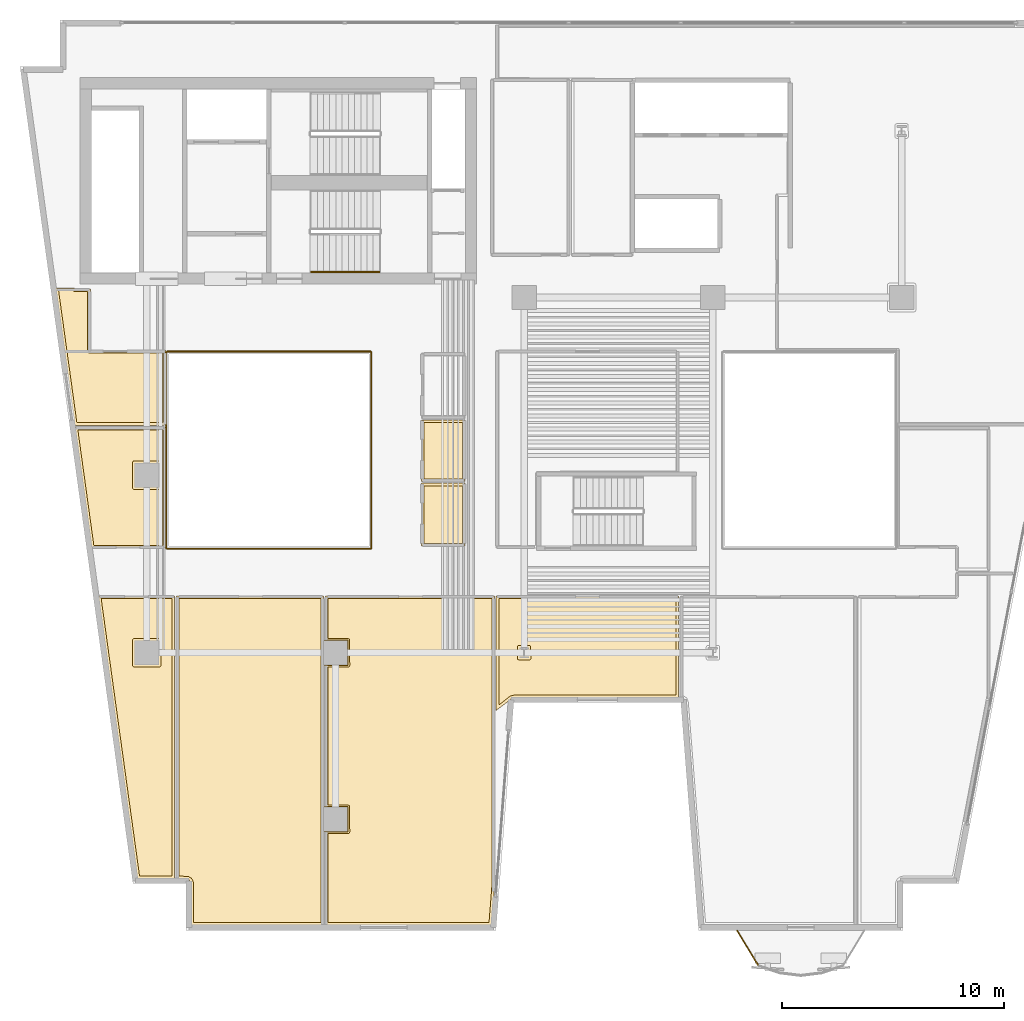
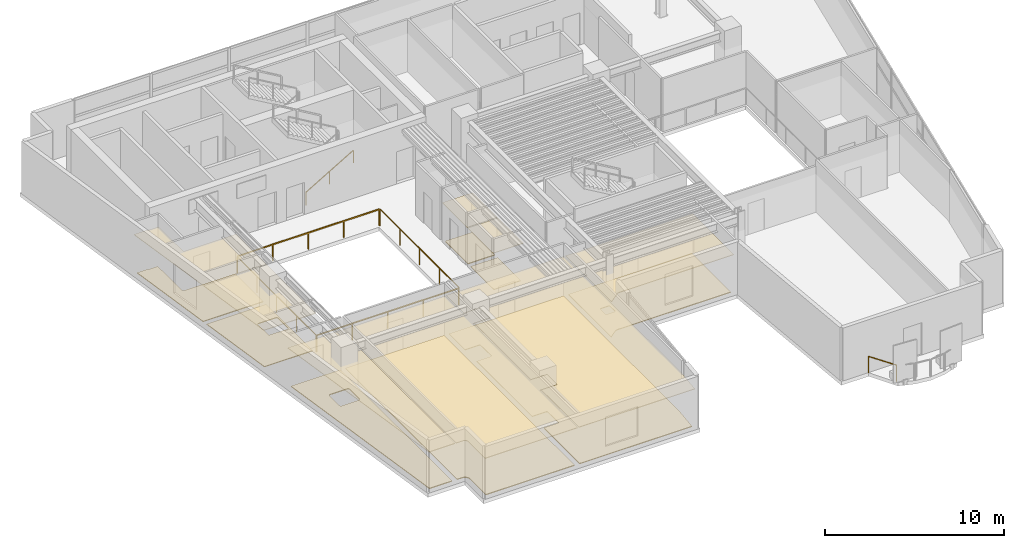
# One storey, part 11 of 14: 16 coverings, 6 railings.
"""IFC4 building model written with IfcOpenShell, lengths in metres."""

import ifcopenshell
import ifcopenshell.guid

model = None  # the IFC model being written
_history = None  # IfcOwnerHistory: only IFC2X3 demands one
_inside = {}  # id of a spatial element -> (the spatial element, [elements in it])
_under = {}  # id of a project, library or spatial element -> (it, [spatial elements below it])
_declared = {}  # id of a project -> (the project, [libraries it declares])
_typed = {}  # id of a type object -> (the type object, [elements of that type])
_made_of = {}  # id of a material, layer set ... -> (it, [elements and type objects made of it])


def new_model(schema):
    """Start an empty IFC model of exactly this schema.

    Asked for "IFC4X3", IfcOpenShell would pick the latest addendum, in which some entities
    have other attributes; the version numbers below select the first issue.
    IFC2X3 requires an IfcOwnerHistory on every rooted entity: one is made here for all.
    """
    global model, _history
    if schema == "IFC4X3":
        model = ifcopenshell.file(schema_version=(4, 3, 0, 0))
    else:
        model = ifcopenshell.file(schema=schema)
    _inside.clear()
    _under.clear()
    _declared.clear()
    _typed.clear()
    _made_of.clear()
    _history = None
    if model.schema == "IFC2X3":
        org = make("IfcOrganization", Name="unknown")
        user = make(
            "IfcPersonAndOrganization",
            ThePerson=make("IfcPerson", FamilyName="unknown"),
            TheOrganization=org,
        )
        app = make(
            "IfcApplication",
            ApplicationDeveloper=org,
            Version="unknown",
            ApplicationFullName="unknown",
            ApplicationIdentifier="unknown",
        )
        _history = make(
            "IfcOwnerHistory",
            OwningUser=user,
            OwningApplication=app,
            ChangeAction="ADDED",
            CreationDate=0,
        )
    return model


def make(cls, **values):
    """One entity of the class cls with the attributes given. An attribute that is None is left unset."""
    return model.create_entity(
        cls, **{name: value for name, value in values.items() if value is not None}
    )


def rooted(cls, **values):
    """An entity with a GlobalId (a new one), such as an element, a storey or a relation."""
    return make(cls, GlobalId=ifcopenshell.guid.new(), OwnerHistory=_history, **values)


def si_unit(unit_type, name, prefix=None):
    """IfcSIUnit, for example si_unit("LENGTHUNIT", "METRE", prefix="MILLI")."""
    return make("IfcSIUnit", UnitType=unit_type, Prefix=prefix, Name=name)


def assignment(units):
    """IfcUnitAssignment: the units of a project."""
    return None if units is None else make("IfcUnitAssignment", Units=units)


def point(xyz):
    """IfcCartesianPoint."""
    return None if xyz is None else make("IfcCartesianPoint", Coordinates=xyz)


def direction(xyz):
    """IfcDirection."""
    return None if xyz is None else make("IfcDirection", DirectionRatios=xyz)


def frame(location, z_axis=None, x_axis=None):
    """IfcAxis2Placement3D, a coordinate frame: its origin and axes. An axis left out is left unset."""
    return make(
        "IfcAxis2Placement3D",
        Location=point(location),
        Axis=direction(z_axis),
        RefDirection=direction(x_axis),
    )


def frame_2d(location, x_axis=None):
    """IfcAxis2Placement2D, a coordinate frame in the plane: its origin and x axis."""
    return make(
        "IfcAxis2Placement2D", Location=point(location), RefDirection=direction(x_axis)
    )


def origin():
    """The frame at (0, 0, 0) with its axes left unset."""
    return frame((0.0, 0.0, 0.0))


def origin_2d():
    """The frame at (0, 0) in the plane with its x axis left unset."""
    return frame_2d((0.0, 0.0))


def place(relative_to, where):
    """IfcLocalPlacement: puts the frame where relative to a parent placement (None: the world)."""
    return make(
        "IfcLocalPlacement", PlacementRelTo=relative_to, RelativePlacement=where
    )


def context(
    kind, dimensions, precision=None, world=None, true_north=None, identifier=None
):
    """IfcGeometricRepresentationContext, for example the 3D "Model" context."""
    return make(
        "IfcGeometricRepresentationContext",
        ContextIdentifier=identifier,
        ContextType=kind,
        CoordinateSpaceDimension=dimensions,
        Precision=precision,
        WorldCoordinateSystem=world,
        TrueNorth=true_north,
    )


def subcontext(parent, identifier, kind, view, scale=None):
    """IfcGeometricRepresentationSubContext, for example "Body" below "Model"."""
    return make(
        "IfcGeometricRepresentationSubContext",
        ContextIdentifier=identifier,
        ContextType=kind,
        ParentContext=parent,
        TargetScale=scale,
        TargetView=view,
    )


def project(units=None, contexts=None):
    """IfcProject with its units and contexts."""
    return rooted(
        "IfcProject",
        Name="project",
        RepresentationContexts=contexts,
        UnitsInContext=assignment(units),
    )


def spatial(cls, under=None, at=None, **own):
    """A site, building, storey or space (cls), placed at a placement, below another one or the project."""
    s = rooted(cls, ObjectPlacement=at, **own)
    if under is not None:
        _under.setdefault(under.id(), (under, []))[1].append(s)
    return s


def polyline(points):
    """IfcPolyline through the points."""
    return make("IfcPolyline", Points=[point(p) for p in points])


def profile(cls, at=None, kind="AREA", **sizes):
    """A parametric profile (cls). Its sizes go by their IFC names, for example OverallWidth=200.0."""
    return make(cls, ProfileType=kind, Position=at, **sizes)


def rectangle(**sizes):
    """IfcRectangleProfileDef."""
    return profile("IfcRectangleProfileDef", **sizes)


def outline(outer, holes=None, kind="AREA"):
    """IfcArbitraryClosedProfileDef: a profile drawn as a closed curve; with holes, ...WithVoids."""
    if holes is None:
        return make("IfcArbitraryClosedProfileDef", ProfileType=kind, OuterCurve=outer)
    return make(
        "IfcArbitraryProfileDefWithVoids",
        ProfileType=kind,
        OuterCurve=outer,
        InnerCurves=holes,
    )


def extrude(swept, where, along, depth):
    """IfcExtrudedAreaSolid: the profile swept, set in the frame where, extruded along a direction by depth."""
    return make(
        "IfcExtrudedAreaSolid",
        SweptArea=swept,
        Position=where,
        ExtrudedDirection=direction(along),
        Depth=depth,
    )


def shape(context_of_items, identifier, shape_type, items):
    """IfcShapeRepresentation: the items that make up one representation, for example the "Body"."""
    return make(
        "IfcShapeRepresentation",
        ContextOfItems=context_of_items,
        RepresentationIdentifier=identifier,
        RepresentationType=shape_type,
        Items=items,
    )


def material(Name=None, Category=None):
    """IfcMaterial."""
    return make("IfcMaterial", Name=Name, Category=Category)


def layer(
    of_material, thickness, ventilated=None, Name=None, Category=None, Priority=None
):
    """IfcMaterialLayer: one layer of a wall or slab, of a material (None: an air gap)."""
    return make(
        "IfcMaterialLayer",
        Material=of_material,
        LayerThickness=thickness,
        IsVentilated=ventilated,
        Name=Name,
        Category=Category,
        Priority=Priority,
    )


def layer_set(layers, Name=None):
    """IfcMaterialLayerSet."""
    return make("IfcMaterialLayerSet", MaterialLayers=layers, LayerSetName=Name)


def made_of(thing, what):
    """Note that an element or type object is made of a material, layer set ...; save() writes the relation."""
    if what is not None:
        _made_of.setdefault(what.id(), (what, []))[1].append(thing)
    return thing


def type_object(cls, material=None, **own):
    """A type object (cls), such as IfcWallType, which elements share."""
    return made_of(rooted(cls, **own), material)


def element(
    cls,
    number,
    at=None,
    inside=None,
    cuts=None,
    type_object=None,
    material=None,
    context=None,
    identifier="Body",
    shape_type=None,
    held_by="IfcProductDefinitionShape",
    body=None,
    shapes=None,
    **own,
):
    """One element of the class cls, such as IfcWall. Its Tag is "e" and its number.

    at: its placement. inside: the storey or other place that contains it. cuts: it is an
    opening in that element (IfcRelVoidsElement). A single representation is given by context,
    identifier, shape_type and body (its items); several are given by shapes. held_by: the class
    of the entity that holds the representations. save() writes the other relations.
    """
    e = rooted(cls, Tag="e%d" % number, ObjectPlacement=at, **own)
    if body is not None:
        shapes = [shape(context, identifier, shape_type, body)]
    if shapes is not None:
        e.Representation = make(held_by, Representations=shapes)
    if inside is not None:
        _inside.setdefault(inside.id(), (inside, []))[1].append(e)
    if cuts is not None:
        rooted(
            "IfcRelVoidsElement", RelatingBuildingElement=cuts, RelatedOpeningElement=e
        )
    if type_object is not None:
        _typed.setdefault(type_object.id(), (type_object, []))[1].append(e)
    return made_of(e, material)


def aggregate(whole, parts):
    """IfcRelAggregates: a whole, such as a stair, and the parts it consists of."""
    return rooted("IfcRelAggregates", RelatingObject=whole, RelatedObjects=parts)


def save(model, path):
    """Write the relations noted so far, then the file.

    IfcRelAggregates (storeys below a building ...), IfcRelContainedInSpatialStructure (elements
    in a storey), IfcRelDefinesByType, IfcRelAssociatesMaterial and IfcRelDeclares: one each for
    every whole, place, type object, material and project.
    """
    for whole, parts in _under.values():
        aggregate(whole, parts)
    for where, things in _inside.values():
        rooted(
            "IfcRelContainedInSpatialStructure",
            RelatedElements=things,
            RelatingStructure=where,
        )
    for kind, things in _typed.values():
        rooted("IfcRelDefinesByType", RelatedObjects=things, RelatingType=kind)
    for what, things in _made_of.values():
        rooted("IfcRelAssociatesMaterial", RelatedObjects=things, RelatingMaterial=what)
    for by, libraries in _declared.values():
        rooted("IfcRelDeclares", RelatingContext=by, RelatedDefinitions=libraries)
    model.write(path)


model = new_model("IFC4")

# Units and contexts
model_context = context("Model", 3, precision=1e-05, world=origin(), true_north=direction((0.0, 1.0)))
body_context = subcontext(model_context, "Body", "Model", "MODEL_VIEW")
ifc_project = project(units=[si_unit("LENGTHUNIT", "METRE"), si_unit("AREAUNIT", "SQUARE_METRE"), si_unit("VOLUMEUNIT", "CUBIC_METRE"), si_unit("PLANEANGLEUNIT", "RADIAN"), si_unit("MASSUNIT", "GRAM", prefix="KILO")], contexts=[model_context])

# Site, building, storey
site_placement = place(None, origin())
site = spatial("IfcSite", under=ifc_project, at=site_placement, CompositionType="ELEMENT")
building_placement = place(site_placement, origin())
building = spatial("IfcBuilding", under=site, at=building_placement, Name="Caeloran Harvest Quay", CompositionType="ELEMENT")
storey_placement = place(building_placement, frame((0.0, 0.0, 174.60009765625)))
storey = spatial("IfcBuildingStorey", under=building, at=storey_placement, Name="L41", CompositionType="ELEMENT", Elevation=174.60009765625)

# Coverings
ifc_material_1 = material(Name="Perforated Mineral-Fibre Acoustic Ceiling Tile", Category="ceiling")
ifc_layer_1 = layer(ifc_material_1, 0.0400390625, Name="Perforated Mineral-Fibre Acoustic Ceiling Tile")
ifc_layer_set_1 = layer_set([ifc_layer_1], Name="Perforated Mineral-Fibre Acoustic Ceiling Tile")
covering_type_1 = type_object("IfcCoveringType", Name="COV-CEILING-ACOUSTIC", PredefinedType="CEILING", material=ifc_layer_set_1)
covering_1_placement = place(storey_placement, frame((0.0, 0.0, 2.599853515625)))
element("IfcCovering", 1, at=covering_1_placement, inside=storey, type_object=covering_type_1, Name="L41 Female Washroom WC Acoustic Ceiling", PredefinedType="CEILING", context=body_context, shape_type="SweptSolid", body=[
    extrude(outline(polyline([(22.840087890625, 22.7099609375), (20.8701171875, 22.7099609375), (20.8701171875, 25.489990234375), (22.840087890625, 25.489990234375), (22.840087890625, 22.7099609375)])), origin(), (0.0, 0.0, 1.0), 0.0400390625),
])
covering_2_placement = place(storey_placement, frame((0.0, 0.0, 2.599853515625)))
element("IfcCovering", 2, at=covering_2_placement, inside=storey, type_object=covering_type_1, Name="L41 Accessible Unisex Washroom WC Acoustic Ceiling", PredefinedType="CEILING", context=body_context, shape_type="SweptSolid", body=[
    extrude(outline(polyline([(22.840087890625, 19.81005859375), (20.8701171875, 19.81005859375), (20.8701171875, 22.639892578125), (22.840087890625, 22.639892578125), (22.840087890625, 19.81005859375)])), origin(), (0.0, 0.0, 1.0), 0.0400390625),
])
covering_3_placement = place(storey_placement, frame((0.0, 0.0, 2.599853515625)))
element("IfcCovering", 3, at=covering_3_placement, inside=storey, type_object=covering_type_1, Name="Agri-Design Innovation Studio Acoustic Ceiling", PredefinedType="CEILING", context=body_context, shape_type="SweptSolid", body=[
    extrude(outline(polyline([(16.429931640625, 6.929931640625), (16.429931640625, 8.070068359375), (16.5400390625, 8.070068359375), (16.5400390625, 14.429931640625), (16.429931640625, 14.429931640625), (16.429931640625, 15.570068359375), (16.5400390625, 15.570068359375), (16.5400390625, 17.56005859375), (24.159912109375, 17.56005859375), (24.159912109375, 4.430419921875), (24.026611328125, 2.719970703125), (16.5400390625, 2.719970703125), (16.5400390625, 6.929931640625), (16.429931640625, 6.929931640625)])), origin(), (0.0, 0.0, 1.0), 0.0400390625),
])
covering_4_placement = place(storey_placement, frame((0.0, 0.0, 2.599853515625)))
element("IfcCovering", 4, at=covering_4_placement, inside=storey, type_object=covering_type_1, Name="Hospitality Tasting Dining Kitchen Acoustic Ceiling", PredefinedType="CEILING", context=body_context, shape_type="SweptSolid", body=[
    extrude(outline(polyline([(17.570068359375, 8.070068359375), (17.570068359375, 6.929931640625), (16.4599609375, 6.929931640625), (16.4599609375, 2.719970703125), (10.489990234375, 2.719970703125), (10.48046875, 4.663818359375), (10.409423828125, 4.77001953125), (10.31298828125, 4.815673828125), (9.840087890625, 4.820068359375), (9.840087890625, 17.56005859375), (16.4599609375, 17.56005859375), (16.4599609375, 15.570068359375), (17.570068359375, 15.570068359375), (17.570068359375, 14.429931640625), (16.4599609375, 14.429931640625), (16.4599609375, 8.070068359375), (17.570068359375, 8.070068359375)])), origin(), (0.0, 0.0, 1.0), 0.0400390625),
])
covering_5_placement = place(storey_placement, frame((0.0, 0.0, 2.599853515625)))
element("IfcCovering", 5, at=covering_5_placement, inside=storey, type_object=covering_type_1, Name="Executive Chef Kitchen Acoustic Ceiling", PredefinedType="CEILING", context=body_context, shape_type="SweptSolid", body=[
    extrude(outline(polyline([(8.0712890625, 4.820068359375), (6.309326171875, 17.56005859375), (9.760009765625, 17.56005859375), (9.760009765625, 4.820068359375), (8.0712890625, 4.820068359375)])), origin(), (0.0, 0.0, 1.0), 0.0400390625),
])
covering_6_placement = place(storey_placement, frame((0.0, 0.0, 2.599853515625)))
element("IfcCovering", 6, at=covering_6_placement, inside=storey, type_object=covering_type_1, Name="Media Broadcast Studio Acoustic Ceiling", PredefinedType="CEILING", context=body_context, shape_type="SweptSolid", body=[
    extrude(outline(polyline([(32.4599609375, 12.969970703125), (25.008056640625, 12.968994140625), (24.90625, 12.931884765625), (24.836181640625, 12.85400390625), (24.239990234375, 12.403564453125), (24.239990234375, 17.56005859375), (32.4599609375, 17.56005859375), (32.4599609375, 12.969970703125)])), origin(), (0.0, 0.0, 1.0), 0.0400390625),
])
covering_7_placement = place(storey_placement, frame((0.0, 0.0, 2.599853515625)))
element("IfcCovering", 7, at=covering_7_placement, inside=storey, type_object=covering_type_1, Name="Agri-Design Innovation Studio 8 Acoustic Ceiling", PredefinedType="CEILING", context=body_context, shape_type="SweptSolid", body=[
    extrude(outline(polyline([(9.360107421875, 19.7099609375), (6.01220703125, 19.7099609375), (5.25830078125, 25.159912109375), (9.360107421875, 25.159912109375), (9.360107421875, 19.7099609375)])), origin(), (0.0, 0.0, 1.0), 0.0400390625),
])
covering_8_placement = place(storey_placement, frame((0.0, 0.0, 2.599853515625)))
element("IfcCovering", 8, at=covering_8_placement, inside=storey, type_object=covering_type_1, Name="Culinary Product Studio 10 Acoustic Ceiling", PredefinedType="CEILING", context=body_context, shape_type="SweptSolid", body=[
    extrude(outline(polyline([(5.260009765625, 31.389892578125), (5.9599609375, 31.389892578125), (5.9599609375, 28.610107421875), (9.360107421875, 28.610107421875), (9.360107421875, 25.239990234375), (5.247314453125, 25.239990234375), (4.391357421875, 31.429931640625), (5.214599609375, 31.429931640625), (5.260009765625, 31.408447265625), (5.260009765625, 31.389892578125)])), origin(), (0.0, 0.0, 1.0), 0.0400390625),
])
ifc_material_2 = material(Name="Calcium-Sulphate Raised Access Floor and Terrazzo Finish", Category="flooring")
ifc_layer_2 = layer(ifc_material_2, 0.050048828125, Name="Calcium-Sulphate Raised Access Floor and Terrazzo Finish")
ifc_layer_set_2 = layer_set([ifc_layer_2], Name="Calcium-Sulphate Raised Access Floor and Terrazzo Finish")
covering_type_2 = type_object("IfcCoveringType", Name="COV-FLOOR-RAISED", PredefinedType="FLOORING", material=ifc_layer_set_2)
covering_9_placement = place(storey_placement, origin())
element("IfcCovering", 9, at=covering_9_placement, inside=storey, type_object=covering_type_2, Name="L41 Female Washroom WC Raised Finish Flooring", PredefinedType="FLOORING", context=body_context, shape_type="SweptSolid", body=[
    extrude(outline(polyline([(22.719970703125, 22.830078125), (20.989990234375, 22.830078125), (20.989990234375, 25.3701171875), (22.719970703125, 25.3701171875), (22.719970703125, 22.830078125)])), origin(), (0.0, 0.0, 1.0), 0.0498046875),
])
covering_10_placement = place(storey_placement, origin())
element("IfcCovering", 10, at=covering_10_placement, inside=storey, type_object=covering_type_2, Name="L41 Accessible Unisex Washroom WC Raised Finish Flooring", PredefinedType="FLOORING", context=body_context, shape_type="SweptSolid", body=[
    extrude(outline(polyline([(22.719970703125, 19.929931640625), (20.989990234375, 19.929931640625), (20.989990234375, 22.52001953125), (22.719970703125, 22.52001953125), (22.719970703125, 19.929931640625)])), origin(), (0.0, 0.0, 1.0), 0.0498046875),
])
covering_11_placement = place(storey_placement, origin())
element("IfcCovering", 11, at=covering_11_placement, inside=storey, type_object=covering_type_2, Name="Agri-Design Innovation Studio Raised Finish Flooring", PredefinedType="FLOORING", context=body_context, shape_type="SweptSolid", body=[
    extrude(outline(polyline([(16.659912109375, 2.840087890625), (16.659912109375, 6.85498046875), (17.57275390625, 6.85546875), (17.626708984375, 6.88427734375), (17.64501953125, 6.93505859375), (17.626708984375, 8.11572265625), (17.56494140625, 8.14501953125), (16.659912109375, 8.14501953125), (16.659912109375, 14.35498046875), (17.57275390625, 14.35546875), (17.626708984375, 14.38427734375), (17.64501953125, 14.43505859375), (17.626708984375, 15.61572265625), (17.56494140625, 15.64501953125), (16.659912109375, 15.64501953125), (16.659912109375, 17.43994140625), (24.0400390625, 17.43994140625), (24.0400390625, 4.43505859375), (23.91552734375, 2.840087890625), (16.659912109375, 2.840087890625)])), origin(), (0.0, 0.0, 1.0), 0.0498046875),
])
covering_12_placement = place(storey_placement, origin())
element("IfcCovering", 12, at=covering_12_placement, inside=storey, type_object=covering_type_2, Name="Hospitality Tasting Dining Kitchen Raised Finish Flooring", PredefinedType="FLOORING", context=body_context, shape_type="SweptSolid", body=[
    extrude(outline(polyline([(10.58544921875, 4.726318359375), (10.507568359375, 4.843017578125), (10.372314453125, 4.924072265625), (9.9599609375, 4.93994140625), (9.9599609375, 17.43994140625), (16.340087890625, 17.43994140625), (16.340087890625, 2.840087890625), (10.610107421875, 2.840087890625), (10.610107421875, 4.60009765625), (10.58544921875, 4.726318359375)])), origin(), (0.0, 0.0, 1.0), 0.0498046875),
])
covering_13_placement = place(storey_placement, origin())
element("IfcCovering", 13, at=covering_13_placement, inside=storey, type_object=covering_type_2, Name="Executive Chef Kitchen Raised Finish Flooring", PredefinedType="FLOORING", context=body_context, shape_type="SweptSolid", body=[
    extrude(outline(polyline([(9.639892578125, 4.93994140625), (8.17578125, 4.93994140625), (6.447021484375, 17.43994140625), (9.639892578125, 17.43994140625), (9.639892578125, 4.93994140625)]), holes=[polyline([(7.93505859375, 15.64501953125), (7.87841796875, 15.62158203125), (7.85498046875, 15.56494140625), (7.85498046875, 14.43505859375), (7.87841796875, 14.37841796875), (7.93505859375, 14.35498046875), (9.06494140625, 14.35498046875), (9.12158203125, 14.37841796875), (9.14501953125, 14.43505859375), (9.14501953125, 15.56494140625), (9.12158203125, 15.62158203125), (9.06494140625, 15.64501953125), (7.93505859375, 15.64501953125)])]), origin(), (0.0, 0.0, 1.0), 0.0498046875),
])
covering_14_placement = place(storey_placement, origin())
element("IfcCovering", 14, at=covering_14_placement, inside=storey, type_object=covering_type_2, Name="Media Broadcast Studio Raised Finish Flooring", PredefinedType="FLOORING", context=body_context, shape_type="SweptSolid", body=[
    extrude(outline(polyline([(24.87109375, 13.050537109375), (24.360107421875, 12.64453125), (24.360107421875, 17.43994140625), (32.340087890625, 17.43994140625), (32.340087890625, 13.090087890625), (25.030029296875, 13.090087890625), (24.87109375, 13.050537109375)]), holes=[polyline([(25.806884765625, 14.748046875), (25.788818359375, 15.302734375), (25.73486328125, 15.33154296875), (25.27294921875, 15.33203125), (25.21630859375, 15.30859375), (25.193115234375, 15.251953125), (25.193115234375, 14.748046875), (25.21630859375, 14.69140625), (25.27294921875, 14.66796875), (25.72705078125, 14.66796875), (25.78369140625, 14.69140625), (25.806884765625, 14.748046875)])]), origin(), (0.0, 0.0, 1.0), 0.0498046875),
])
covering_15_placement = place(storey_placement, origin())
element("IfcCovering", 15, at=covering_15_placement, inside=storey, type_object=covering_type_2, Name="Agri-Design Innovation Studio 8 Raised Finish Flooring", PredefinedType="FLOORING", context=body_context, shape_type="SweptSolid", body=[
    extrude(outline(polyline([(9.239990234375, 25.0400390625), (9.239990234375, 19.830078125), (6.11669921875, 19.830078125), (5.39599609375, 25.0400390625), (9.239990234375, 25.0400390625)]), holes=[polyline([(7.93505859375, 23.64501953125), (7.87841796875, 23.62158203125), (7.85498046875, 23.56494140625), (7.85498046875, 22.43505859375), (7.87841796875, 22.37841796875), (7.93505859375, 22.35498046875), (9.06494140625, 22.35498046875), (9.12158203125, 22.37841796875), (9.14501953125, 22.43505859375), (9.14501953125, 23.56494140625), (9.12158203125, 23.62158203125), (9.06494140625, 23.64501953125), (7.93505859375, 23.64501953125)])]), origin(), (0.0, 0.0, 1.0), 0.0498046875),
])
covering_16_placement = place(storey_placement, origin())
element("IfcCovering", 16, at=covering_16_placement, inside=storey, type_object=covering_type_2, Name="Culinary Product Studio 10 Raised Finish Flooring", PredefinedType="FLOORING", context=body_context, shape_type="SweptSolid", body=[
    extrude(outline(polyline([(5.165283203125, 31.31005859375), (5.2431640625, 31.270263671875), (5.840087890625, 31.27001953125), (5.840087890625, 28.60009765625), (5.8857421875, 28.5107421875), (5.949951171875, 28.489990234375), (9.239990234375, 28.489990234375), (9.239990234375, 25.360107421875), (5.351806640625, 25.360107421875), (4.529052734375, 31.31005859375), (5.165283203125, 31.31005859375)])), origin(), (0.0, 0.0, 1.0), 0.0498046875),
])

# Railings
ifc_material_3 = material(Name="Powder-Coated Steel Post and Laminated Glass Guardrail", Category="steel")
ifc_layer_3 = layer(ifc_material_3, 0.06005859375, Name="Powder-Coated Steel Post and Laminated Glass Guardrail")
ifc_layer_set_3 = layer_set([ifc_layer_3], Name="Powder-Coated Steel Post and Laminated Glass Guardrail")
railing_type_1 = type_object("IfcRailingType", Name="GUARD-ATRIUM-1150", PredefinedType="GUARDRAIL", material=ifc_layer_set_3)
railing_1_placement = place(storey_placement, frame((9.412109375, 19.679931640625, 0.0)))
element("IfcRailing", 17, at=railing_1_placement, inside=storey, type_object=railing_type_1, Name="L41 Skylit Atrium Void Perimeter Guardrail Seg 1", PredefinedType="GUARDRAIL", context=body_context, shape_type="SweptSolid", body=[
    extrude(rectangle(XDim=0.048095703125, YDim=0.048095703125, at=origin_2d()), frame((0.0, 0.0, 1.1259765625), z_axis=(1.0, 0.0, 0.0), x_axis=(0.0, 1.0, 0.0)), (0.0, 0.0, 1.0), 9.17578125),
    extrude(rectangle(XDim=0.0419921875, YDim=0.0419921875, at=origin_2d()), origin(), (0.0, 0.0, 1.0), 1.101806640625),
    extrude(rectangle(XDim=0.0419921875, YDim=0.0419921875, at=origin_2d()), frame((2.2939453125, 0.0, 0.0)), (0.0, 0.0, 1.0), 1.101806640625),
    extrude(rectangle(XDim=0.0419921875, YDim=0.0419921875, at=origin_2d()), frame((4.587890625, 0.0, 0.0)), (0.0, 0.0, 1.0), 1.101806640625),
    extrude(rectangle(XDim=0.0419921875, YDim=0.0419921875, at=origin_2d()), frame((6.8818359375, 0.0, 0.0)), (0.0, 0.0, 1.0), 1.101806640625),
    extrude(rectangle(XDim=0.0419921875, YDim=0.0419921875, at=origin_2d()), frame((9.17578125, 0.0, 0.0)), (0.0, 0.0, 1.0), 1.101806640625),
])
railing_2_placement = place(storey_placement, frame((18.6201171875, 19.7119140625, 0.0)))
element("IfcRailing", 18, at=railing_2_placement, inside=storey, type_object=railing_type_1, Name="L41 Skylit Atrium Void Perimeter Guardrail Seg 2", PredefinedType="GUARDRAIL", context=body_context, shape_type="SweptSolid", body=[
    extrude(rectangle(XDim=0.048095703125, YDim=0.048095703125, at=origin_2d()), frame((0.0, 0.0, 1.1259765625), z_axis=(0.0, 1.0, 0.0), x_axis=(-1.0, 0.0, 0.0)), (0.0, 0.0, 1.0), 8.826171875),
    extrude(rectangle(XDim=0.0419921875, YDim=0.0419921875, at=origin_2d()), origin(), (0.0, 0.0, 1.0), 1.101806640625),
    extrude(rectangle(XDim=0.0419921875, YDim=0.0419921875, at=origin_2d()), frame((0.0, 2.20654296875, 0.0)), (0.0, 0.0, 1.0), 1.101806640625),
    extrude(rectangle(XDim=0.0419921875, YDim=0.0419921875, at=origin_2d()), frame((0.0, 4.4130859375, 0.0)), (0.0, 0.0, 1.0), 1.101806640625),
    extrude(rectangle(XDim=0.0419921875, YDim=0.0419921875, at=origin_2d()), frame((0.0, 6.61962890625, 0.0)), (0.0, 0.0, 1.0), 1.101806640625),
    extrude(rectangle(XDim=0.0419921875, YDim=0.0419921875, at=origin_2d()), frame((0.0, 8.826171875, 0.0)), (0.0, 0.0, 1.0), 1.101806640625),
])
railing_3_placement = place(storey_placement, frame((18.587890625, 28.570068359375, 0.0)))
element("IfcRailing", 19, at=railing_3_placement, inside=storey, type_object=railing_type_1, Name="L41 Skylit Atrium Void Perimeter Guardrail Seg 3", PredefinedType="GUARDRAIL", context=body_context, shape_type="SweptSolid", body=[
    extrude(rectangle(XDim=0.048095703125, YDim=0.048095703125, at=origin_2d()), frame((0.0, 0.0, 1.1259765625), z_axis=(-1.0, 0.0, 0.0), x_axis=(0.0, -1.0, 0.0)), (0.0, 0.0, 1.0), 9.17578125),
    extrude(rectangle(XDim=0.0419921875, YDim=0.0419921875, at=origin_2d()), origin(), (0.0, 0.0, 1.0), 1.101806640625),
    extrude(rectangle(XDim=0.0419921875, YDim=0.0419921875, at=origin_2d()), frame((-2.2939453125, 0.0, 0.0)), (0.0, 0.0, 1.0), 1.101806640625),
    extrude(rectangle(XDim=0.0419921875, YDim=0.0419921875, at=origin_2d()), frame((-4.587890625, 0.0, 0.0)), (0.0, 0.0, 1.0), 1.101806640625),
    extrude(rectangle(XDim=0.0419921875, YDim=0.0419921875, at=origin_2d()), frame((-6.8818359375, 0.0, 0.0)), (0.0, 0.0, 1.0), 1.101806640625),
    extrude(rectangle(XDim=0.0419921875, YDim=0.0419921875, at=origin_2d()), frame((-9.17578125, 0.0, 0.0)), (0.0, 0.0, 1.0), 1.101806640625),
])
railing_4_placement = place(storey_placement, frame((9.3798828125, 28.5380859375, 0.0)))
element("IfcRailing", 20, at=railing_4_placement, inside=storey, type_object=railing_type_1, Name="L41 Skylit Atrium Void Perimeter Guardrail Seg 4", PredefinedType="GUARDRAIL", context=body_context, shape_type="SweptSolid", body=[
    extrude(rectangle(XDim=0.048095703125, YDim=0.048095703125, at=origin_2d()), frame((0.0, 0.0, 1.1259765625), z_axis=(0.0, -1.0, 0.0), x_axis=(1.0, 0.0, 0.0)), (0.0, 0.0, 1.0), 8.826171875),
    extrude(rectangle(XDim=0.0419921875, YDim=0.0419921875, at=origin_2d()), origin(), (0.0, 0.0, 1.0), 1.101806640625),
    extrude(rectangle(XDim=0.0419921875, YDim=0.0419921875, at=origin_2d()), frame((0.0, -2.20654296875, 0.0)), (0.0, 0.0, 1.0), 1.101806640625),
    extrude(rectangle(XDim=0.0419921875, YDim=0.0419921875, at=origin_2d()), frame((0.0, -4.4130859375, 0.0)), (0.0, 0.0, 1.0), 1.101806640625),
    extrude(rectangle(XDim=0.0419921875, YDim=0.0419921875, at=origin_2d()), frame((0.0, -6.61962890625, 0.0)), (0.0, 0.0, 1.0), 1.101806640625),
    extrude(rectangle(XDim=0.0419921875, YDim=0.0419921875, at=origin_2d()), frame((0.0, -8.826171875, 0.0)), (0.0, 0.0, 1.0), 1.101806640625),
])
ifc_material_4 = material(Name="Laminated Safety Glass and Stainless Steel 316", Category="steel")
ifc_layer_4 = layer(ifc_material_4, 0.06005859375, Name="Laminated Safety Glass and Stainless Steel 316")
ifc_layer_set_4 = layer_set([ifc_layer_4], Name="Laminated Safety Glass and Stainless Steel 316")
railing_type_2 = type_object("IfcRailingType", Name="GUARD-BALUSTRADE-1150", PredefinedType="BALUSTRADE", material=ifc_layer_set_4)
railing_5_placement = place(storey_placement, frame((36.028564453125, 0.94677734375, 0.0)))
element("IfcRailing", 21, at=railing_5_placement, inside=storey, type_object=railing_type_2, Name="L41 Planted Balcony Perimeter Balustrade Guard Seg 6", PredefinedType="BALUSTRADE", context=body_context, shape_type="SweptSolid", body=[
    extrude(rectangle(XDim=0.048095703125, YDim=0.048095703125, at=origin_2d()), frame((0.0, 0.0, 1.1259765625), z_axis=(-0.522460171992, 0.852663690257, 0.0), x_axis=(-0.852663690257, -0.522460171992, 0.0)), (0.0, 0.0, 1.0), 1.798095703125),
    extrude(rectangle(XDim=0.0419921875, YDim=0.0419921875, at=origin_2d()), origin(), (0.0, 0.0, 1.0), 1.101806640625),
    extrude(rectangle(XDim=0.0419921875, YDim=0.0419921875, at=origin_2d()), frame((-0.939453125, 1.533203125, 0.0)), (0.0, 0.0, 1.0), 1.101806640625),
])
ifc_material_5 = material(Name="Brushed Stainless Steel Grade 304", Category="steel")
ifc_layer_5 = layer(ifc_material_5, 0.050048828125, Name="Brushed Stainless Steel Grade 304")
ifc_layer_set_5 = layer_set([ifc_layer_5], Name="Brushed Stainless Steel Grade 304")
railing_type_3 = type_object("IfcRailingType", Name="STAIR-HANDRAIL-900", PredefinedType="HANDRAIL", material=ifc_layer_set_5)
railing_6_placement = place(storey_placement, frame((15.89990234375, 32.14990234375, 0.16455078125)))
element("IfcRailing", 22, at=railing_6_placement, inside=storey, type_object=railing_type_3, Name="L41 ST-C2 stair handrail 1", PredefinedType="HANDRAIL", context=body_context, shape_type="SweptSolid", body=[
    extrude(rectangle(XDim=0.048095703125, YDim=0.048095703125, at=origin_2d()), frame((0.0, 0.0, 0.8759765625), z_axis=(0.862118610829, 0.0, 0.506706523406), x_axis=(0.0, 1.0, 0.0)), (0.0, 0.0, 1.0), 3.57275390625),
    extrude(rectangle(XDim=0.0419921875, YDim=0.0419921875, at=origin_2d()), origin(), (0.0, 0.0, 1.0), 0.851806640625),
    extrude(rectangle(XDim=0.0419921875, YDim=0.0419921875, at=origin_2d()), frame((1.5400390625, 0.0, 0.9052734375)), (0.0, 0.0, 1.0), 0.851806640625),
    extrude(rectangle(XDim=0.0419921875, YDim=0.0419921875, at=origin_2d()), frame((3.080078125, 0.0, 1.810302734375)), (0.0, 0.0, 1.0), 0.851806640625),
])

save(model, "model.ifc")
